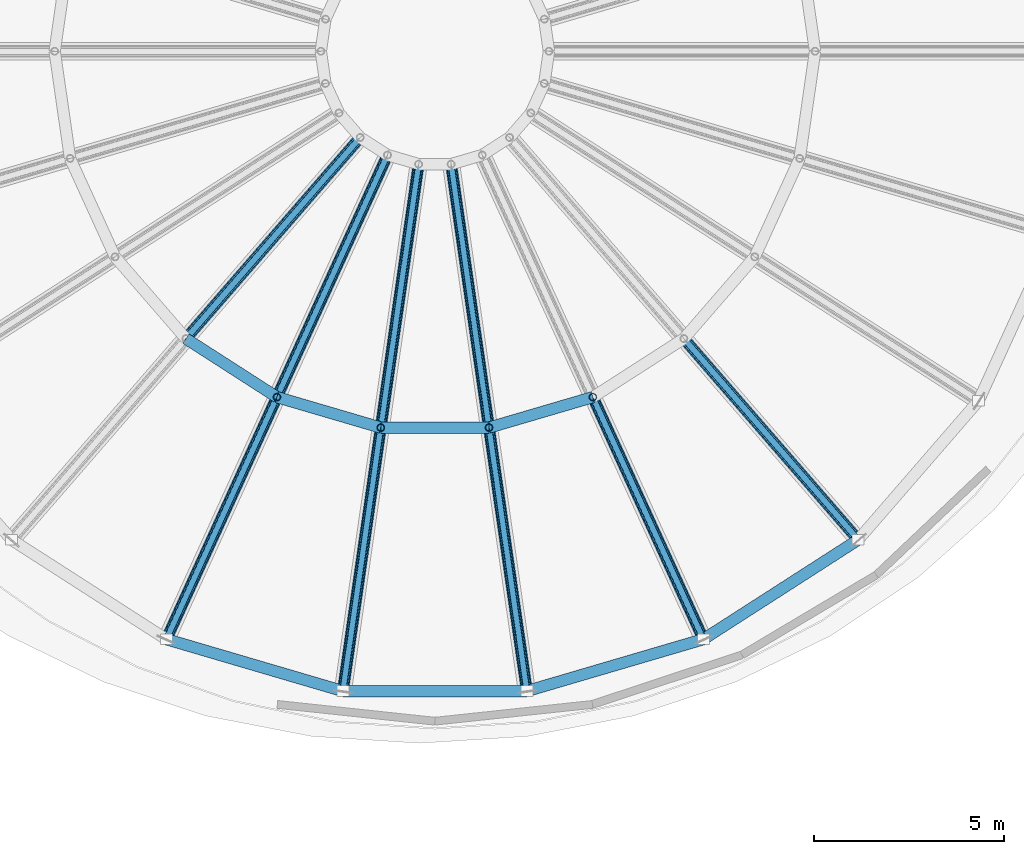
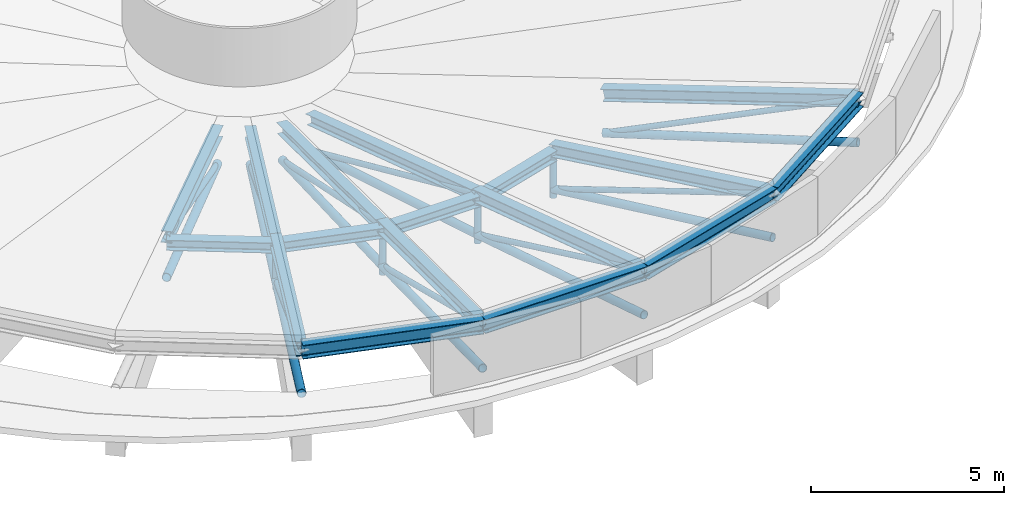
# One storey, part 3 of 69: 31 members, 8 beams.
"""IFC4 building model written with IfcOpenShell, lengths in metres."""

from ifc_helpers import new_model, si_unit, direction, frame, origin, origin_2d, place, context, subcontext, project, spatial, hollow_circle, i_section, extrude, material, material_profile, profile_set, type_object, element, save


model = new_model("IFC4")

# Units and contexts
model_context = context("Model", 3, precision=1e-05, world=origin(), true_north=direction((0.0, 1.0)))
body_context = subcontext(model_context, "Body", "Model", "MODEL_VIEW")
ifc_project = project(units=[si_unit("LENGTHUNIT", "METRE"), si_unit("AREAUNIT", "SQUARE_METRE"), si_unit("VOLUMEUNIT", "CUBIC_METRE"), si_unit("PLANEANGLEUNIT", "RADIAN"), si_unit("MASSUNIT", "GRAM", prefix="KILO")], contexts=[model_context])

# Site, building, storey
site_placement = place(None, origin())
site = spatial("IfcSite", under=ifc_project, at=site_placement, CompositionType="ELEMENT")
building_placement = place(site_placement, origin())
building = spatial("IfcBuilding", under=site, at=building_placement, Name="Pelvatis Terrace Science Centre", CompositionType="ELEMENT")
storey_placement = place(building_placement, frame((0.0, 0.0, 15.0)))
storey = spatial("IfcBuildingStorey", under=building, at=storey_placement, Name="L03", CompositionType="ELEMENT", Elevation=15.0)

# Beams
ifc_material_1 = material(Name="Structural steel S355", Category="steel")
ifc_material_profile_1 = material_profile(ifc_material_1, i_section(OverallWidth=0.300048828125, OverallDepth=0.330078125, WebThickness=0.009521484375, FlangeThickness=0.0166015625, FilletRadius=0.027099609375, at=origin_2d()), Name="HEA 340")
ifc_profile_set_1 = profile_set([ifc_material_profile_1], Name="Structural steel S355")
beam_type_1 = type_object("IfcBeamType", Name="BM-STL-HEA340", PredefinedType="BEAM", material=ifc_profile_set_1)
beam_1_placement = place(storey_placement, frame((71.451416015625, 47.04248046875, -0.179931640625), z_axis=(0.841236998523, -0.540666544477, 0.0), x_axis=(0.540666544477, 0.841236998523, 0.0)))
element("IfcBeam", 1, at=beam_1_placement, inside=storey, type_object=beam_type_1, Name="Bowl roof circumferential mid member 15", PredefinedType="BEAM", context=body_context, shape_type="SweptSolid", body=[
    extrude(i_section(OverallWidth=0.300048828125, OverallDepth=0.330078125, WebThickness=0.009521484375, FlangeThickness=0.0166015625, FilletRadius=0.027099609375, at=origin_2d()), origin(), (0.0, 0.0, 1.0), 2.84619140625),
])
beam_2_placement = place(storey_placement, frame((73.845703125, 45.503662109375, -0.179931640625), z_axis=(0.959511510072, -0.28166941978, 0.0), x_axis=(0.28166941978, 0.959511510072, 0.0)))
element("IfcBeam", 2, at=beam_2_placement, inside=storey, type_object=beam_type_1, Name="Bowl roof circumferential mid member 16", PredefinedType="BEAM", context=body_context, shape_type="SweptSolid", body=[
    extrude(i_section(OverallWidth=0.300048828125, OverallDepth=0.330078125, WebThickness=0.009521484375, FlangeThickness=0.0166015625, FilletRadius=0.027099609375, at=origin_2d()), origin(), (0.0, 0.0, 1.0), 2.846435546875),
])
beam_3_placement = place(storey_placement, frame((76.576904296875, 44.701904296875, -0.179931640625), z_axis=(1.0, 0.0, 0.0), x_axis=(0.0, 1.0, 0.0)))
element("IfcBeam", 3, at=beam_3_placement, inside=storey, type_object=beam_type_1, Name="Bowl roof circumferential mid member 17", PredefinedType="BEAM", context=body_context, shape_type="SweptSolid", body=[
    extrude(i_section(OverallWidth=0.300048828125, OverallDepth=0.330078125, WebThickness=0.009521484375, FlangeThickness=0.0166015625, FilletRadius=0.027099609375, at=origin_2d()), origin(), (0.0, 0.0, 1.0), 2.84619140625),
])
beam_4_placement = place(storey_placement, frame((79.423095703125, 44.701904296875, -0.179931640625), z_axis=(0.959511510072, 0.28166941978, 0.0), x_axis=(-0.28166941978, 0.959511510072, 0.0)))
element("IfcBeam", 4, at=beam_4_placement, inside=storey, type_object=beam_type_1, Name="Bowl roof circumferential mid member 18", PredefinedType="BEAM", context=body_context, shape_type="SweptSolid", body=[
    extrude(i_section(OverallWidth=0.300048828125, OverallDepth=0.330078125, WebThickness=0.009521484375, FlangeThickness=0.0166015625, FilletRadius=0.027099609375, at=origin_2d()), origin(), (0.0, 0.0, 1.0), 2.846435546875),
])
ifc_material_2 = material(Name="Structural steel S355", Category="steel")
ifc_material_profile_2 = material_profile(ifc_material_2, i_section(OverallWidth=0.300048828125, OverallDepth=0.43994140625, WebThickness=0.011474609375, FlangeThickness=0.02099609375, FilletRadius=0.027099609375, at=origin_2d()), Name="HEA 450")
ifc_profile_set_2 = profile_set([ifc_material_profile_2], Name="Structural steel S355")
beam_type_2 = type_object("IfcBeamType", Name="BM-STL-HEA450", PredefinedType="BEAM", material=ifc_profile_set_2)
beam_5_placement = place(storey_placement, frame((70.93798828125, 39.13623046875, 1.39990234375), z_axis=(0.959487536584, -0.281751073006, 0.0), x_axis=(0.281751073006, 0.959487536584, 0.0)))
element("IfcBeam", 5, at=beam_5_placement, inside=storey, type_object=beam_type_2, Name="Bowl roof circumferential out member 16", PredefinedType="BEAM", context=body_context, shape_type="SweptSolid", body=[
    extrude(i_section(OverallWidth=0.300048828125, OverallDepth=0.43994140625, WebThickness=0.011474609375, FlangeThickness=0.02099609375, FilletRadius=0.027099609375, at=origin_2d()), origin(), (0.0, 0.0, 1.0), 4.838623046875),
])
beam_6_placement = place(storey_placement, frame((75.58056640625, 37.77294921875, 1.39990234375), z_axis=(1.0, 0.0, 0.0), x_axis=(0.0, 1.0, 0.0)))
element("IfcBeam", 6, at=beam_6_placement, inside=storey, type_object=beam_type_2, Name="Bowl roof circumferential out member 17", PredefinedType="BEAM", context=body_context, shape_type="SweptSolid", body=[
    extrude(i_section(OverallWidth=0.300048828125, OverallDepth=0.43994140625, WebThickness=0.011474609375, FlangeThickness=0.02099609375, FilletRadius=0.027099609375, at=origin_2d()), origin(), (0.0, 0.0, 1.0), 4.8388671875),
])
for number, where, z_axis, x_axis, name in (
    (7, (80.41943359375, 37.77294921875, 1.39990234375), (0.959487536584, 0.281751073006, 0.0), (-0.281751073006, 0.959487536584, 0.0), "Bowl roof circumferential out member 18"),
    (8, (85.06201171875, 39.13623046875, 1.39990234375), (0.841255517216, 0.540637729681, 0.0), (-0.540637729681, 0.841255517216, 0.0), "Bowl roof circumferential out member 19"),
):
    element("IfcBeam", number, at=place(storey_placement, frame(where, z_axis=z_axis, x_axis=x_axis)), inside=storey, type_object=beam_type_2, Name=name, PredefinedType="BEAM", context=body_context, shape_type="SweptSolid", body=[
        extrude(i_section(OverallWidth=0.300048828125, OverallDepth=0.43994140625, WebThickness=0.011474609375, FlangeThickness=0.02099609375, FilletRadius=0.027099609375, at=origin_2d()), origin(), (0.0, 0.0, 1.0), 4.838623046875),
    ])

# Members
ifc_material_3 = material(Name="Structural steel S355", Category="steel")
ifc_material_profile_3 = material_profile(ifc_material_3, hollow_circle(Radius=0.084228515625, WallThickness=0.00634765625, at=origin_2d()), Name="CHS 168.3x6.3")
ifc_profile_set_3 = profile_set([ifc_material_profile_3], Name="Structural steel S355")
member_type_1 = type_object("IfcMemberType", Name="MEM-BRC-CHS168", PredefinedType="BRACE", material=ifc_profile_set_3)
member_1_placement = place(storey_placement, frame((71.451416015625, 47.04248046875, -0.02001953125), z_axis=(0.617261430253, 0.712368871546, -0.333944482771), x_axis=(-0.755754672976, 0.654854849776, 0.0)))
element("IfcMember", 9, at=member_1_placement, inside=storey, type_object=member_type_1, Name="Bowl truss web brace 15.4", PredefinedType="BRACE", context=body_context, shape_type="SweptSolid", body=[
    extrude(hollow_circle(Radius=0.084228515625, WallThickness=0.00634765625, at=origin_2d()), origin(), (0.0, 0.0, 1.0), 7.42626953125),
])
member_2_placement = place(storey_placement, frame((70.93798828125, 39.13623046875, 1.39990234375), z_axis=(0.387561918933, 0.848698774784, -0.359869627328), x_axis=(-0.909642454288, 0.41539211037, 0.0)))
element("IfcMember", 10, at=member_2_placement, inside=storey, type_object=member_type_1, Name="Bowl truss web brace 16.3", PredefinedType="BRACE", context=body_context, shape_type="SweptSolid", body=[
    extrude(hollow_circle(Radius=0.084228515625, WallThickness=0.00634765625, at=origin_2d()), origin(), (0.0, 0.0, 1.0), 7.502685546875),
])
member_3_placement = place(storey_placement, frame((73.845703125, 45.503662109375, -0.02001953125), z_axis=(0.391600804381, 0.857399309862, -0.333938966664), x_axis=(-0.909616095646, 0.415449826745, 0.0)))
element("IfcMember", 11, at=member_3_placement, inside=storey, type_object=member_type_1, Name="Bowl truss web brace 16.4", PredefinedType="BRACE", context=body_context, shape_type="SweptSolid", body=[
    extrude(hollow_circle(Radius=0.084228515625, WallThickness=0.00634765625, at=origin_2d()), origin(), (0.0, 0.0, 1.0), 7.426513671875),
])
member_4_placement = place(storey_placement, frame((75.58056640625, 37.77294921875, 1.39990234375), z_axis=(0.13279448885, 0.923509038972, -0.359856469539), x_axis=(-0.989819337894, 0.142329471053, 0.0)))
element("IfcMember", 12, at=member_4_placement, inside=storey, type_object=member_type_1, Name="Bowl truss web brace 17.3", PredefinedType="BRACE", context=body_context, shape_type="SweptSolid", body=[
    extrude(hollow_circle(Radius=0.084228515625, WallThickness=0.00634765625, at=origin_2d()), origin(), (0.0, 0.0, 1.0), 7.5029296875),
])
member_5_placement = place(storey_placement, frame((76.576904296875, 44.701904296875, -0.02001953125), z_axis=(0.134131031199, 0.932999672899, -0.333946817382), x_axis=(-0.989823544484, 0.142300213583, 0.0)))
element("IfcMember", 13, at=member_5_placement, inside=storey, type_object=member_type_1, Name="Bowl truss web brace 17.4", PredefinedType="BRACE", context=body_context, shape_type="SweptSolid", body=[
    extrude(hollow_circle(Radius=0.084228515625, WallThickness=0.00634765625, at=origin_2d()), origin(), (0.0, 0.0, 1.0), 7.42626953125),
])
member_6_placement = place(storey_placement, frame((80.41943359375, 37.77294921875, 1.39990234375), z_axis=(-0.13279448885, 0.923509038972, -0.359856469539), x_axis=(-0.989819337894, -0.142329471053, 0.0)))
element("IfcMember", 14, at=member_6_placement, inside=storey, type_object=member_type_1, Name="Bowl truss web brace 18.3", PredefinedType="BRACE", context=body_context, shape_type="SweptSolid", body=[
    extrude(hollow_circle(Radius=0.084228515625, WallThickness=0.00634765625, at=origin_2d()), origin(), (0.0, 0.0, 1.0), 7.5029296875),
])
member_7_placement = place(storey_placement, frame((79.423095703125, 44.701904296875, -0.02001953125), z_axis=(-0.134131031199, 0.932999672899, -0.333946817382), x_axis=(-0.989823544484, -0.142300213583, 0.0)))
element("IfcMember", 15, at=member_7_placement, inside=storey, type_object=member_type_1, Name="Bowl truss web brace 18.4", PredefinedType="BRACE", context=body_context, shape_type="SweptSolid", body=[
    extrude(hollow_circle(Radius=0.084228515625, WallThickness=0.00634765625, at=origin_2d()), origin(), (0.0, 0.0, 1.0), 7.42626953125),
])
for number, where, z_axis, x_axis, name in (
    (16, (85.06201171875, 39.13623046875, 1.39990234375), (-0.387561918933, 0.848698774784, -0.359869627328), (-0.909642454288, -0.41539211037, 0.0), "Bowl truss web brace 19.3"),
    (17, (89.132568359375, 41.752197265625, 1.39990234375), (-0.610982099152, 0.705122023143, -0.359866373803), (-0.755754672976, -0.654854849776, 0.0), "Bowl truss web brace 20.3"),
):
    element("IfcMember", number, at=place(storey_placement, frame(where, z_axis=z_axis, x_axis=x_axis)), inside=storey, type_object=member_type_1, Name=name, PredefinedType="BRACE", context=body_context, shape_type="SweptSolid", body=[
        extrude(hollow_circle(Radius=0.084228515625, WallThickness=0.00634765625, at=origin_2d()), origin(), (0.0, 0.0, 1.0), 7.502685546875),
    ])
ifc_material_4 = material(Name="Structural steel S355", Category="steel")
ifc_material_profile_4 = material_profile(ifc_material_4, hollow_circle(Radius=0.122314453125, WallThickness=0.010009765625, at=origin_2d()), Name="CHS 244.5x10.0")
ifc_profile_set_4 = profile_set([ifc_material_profile_4], Name="Structural steel S355")
member_type_2 = type_object("IfcMemberType", Name="MEM-CHD-CHS244", PredefinedType="CHORD", material=ifc_profile_set_4)
member_8_placement = place(storey_placement, frame((71.451416015625, 47.04248046875, -1.300048828125), z_axis=(0.645440265089, 0.744889492129, -0.168957120948), x_axis=(-0.755754672976, 0.654854849776, 0.0)))
element("IfcMember", 18, at=member_8_placement, inside=storey, type_object=member_type_2, Name="Bowl truss inner bottom chord 15", PredefinedType="CHORD", context=body_context, shape_type="SweptSolid", body=[
    extrude(hollow_circle(Radius=0.122314453125, WallThickness=0.010009765625, at=origin_2d()), origin(), (0.0, 0.0, 1.0), 7.10205078125),
])
member_9_placement = place(storey_placement, frame((70.93798828125, 39.13623046875, 0.0), z_axis=(0.40840819237, 0.894348788011, -0.182600640166), x_axis=(-0.909642454288, 0.41539211037, 0.0)))
element("IfcMember", 19, at=member_9_placement, inside=storey, type_object=member_type_2, Name="Bowl truss outer bottom chord 16", PredefinedType="CHORD", context=body_context, shape_type="SweptSolid", body=[
    extrude(hollow_circle(Radius=0.122314453125, WallThickness=0.010009765625, at=origin_2d()), origin(), (0.0, 0.0, 1.0), 7.11962890625),
])
member_10_placement = place(storey_placement, frame((73.845703125, 45.503662109375, -1.300048828125), z_axis=(0.40947728906, 0.896539386836, -0.168954069487), x_axis=(-0.909616095646, 0.415449826745, 0.0)))
element("IfcMember", 20, at=member_10_placement, inside=storey, type_object=member_type_2, Name="Bowl truss inner bottom chord 16", PredefinedType="CHORD", context=body_context, shape_type="SweptSolid", body=[
    extrude(hollow_circle(Radius=0.122314453125, WallThickness=0.010009765625, at=origin_2d()), origin(), (0.0, 0.0, 1.0), 7.102294921875),
])
member_11_placement = place(storey_placement, frame((75.58056640625, 37.77294921875, 0.0), z_axis=(0.13993670546, 0.973179033976, -0.182593226311), x_axis=(-0.989819337894, 0.142329471053, 0.0)))
element("IfcMember", 21, at=member_11_placement, inside=storey, type_object=member_type_2, Name="Bowl truss outer bottom chord 17", PredefinedType="CHORD", context=body_context, shape_type="SweptSolid", body=[
    extrude(hollow_circle(Radius=0.122314453125, WallThickness=0.010009765625, at=origin_2d()), origin(), (0.0, 0.0, 1.0), 7.119873046875),
])
member_12_placement = place(storey_placement, frame((76.576904296875, 44.701904296875, -1.300048828125), z_axis=(0.140254389165, 0.975593030514, -0.168958412437), x_axis=(-0.989823544484, 0.142300213583, 0.0)))
element("IfcMember", 22, at=member_12_placement, inside=storey, type_object=member_type_2, Name="Bowl truss inner bottom chord 17", PredefinedType="CHORD", context=body_context, shape_type="SweptSolid", body=[
    extrude(hollow_circle(Radius=0.122314453125, WallThickness=0.010009765625, at=origin_2d()), origin(), (0.0, 0.0, 1.0), 7.10205078125),
])
member_13_placement = place(storey_placement, frame((80.41943359375, 37.77294921875, 0.0), z_axis=(-0.13993670546, 0.973179033976, -0.182593226311), x_axis=(-0.989819337894, -0.142329471053, 0.0)))
element("IfcMember", 23, at=member_13_placement, inside=storey, type_object=member_type_2, Name="Bowl truss outer bottom chord 18", PredefinedType="CHORD", context=body_context, shape_type="SweptSolid", body=[
    extrude(hollow_circle(Radius=0.122314453125, WallThickness=0.010009765625, at=origin_2d()), origin(), (0.0, 0.0, 1.0), 7.119873046875),
])
member_14_placement = place(storey_placement, frame((79.423095703125, 44.701904296875, -1.300048828125), z_axis=(-0.140254389165, 0.975593030514, -0.168958412437), x_axis=(-0.989823544484, -0.142300213583, 0.0)))
element("IfcMember", 24, at=member_14_placement, inside=storey, type_object=member_type_2, Name="Bowl truss inner bottom chord 18", PredefinedType="CHORD", context=body_context, shape_type="SweptSolid", body=[
    extrude(hollow_circle(Radius=0.122314453125, WallThickness=0.010009765625, at=origin_2d()), origin(), (0.0, 0.0, 1.0), 7.10205078125),
])
for number, where, z_axis, x_axis, name in (
    (25, (85.06201171875, 39.13623046875, 0.0), (-0.40840819237, 0.894348788011, -0.182600640166), (-0.909642454288, -0.41539211037, 0.0), "Bowl truss outer bottom chord 19"),
    (26, (89.132568359375, 41.752197265625, 0.0), (-0.643845107793, 0.743048553513, -0.182598806934), (-0.755754672976, -0.654854849776, 0.0), "Bowl truss outer bottom chord 20"),
):
    element("IfcMember", number, at=place(storey_placement, frame(where, z_axis=z_axis, x_axis=x_axis)), inside=storey, type_object=member_type_2, Name=name, PredefinedType="CHORD", context=body_context, shape_type="SweptSolid", body=[
        extrude(hollow_circle(Radius=0.122314453125, WallThickness=0.010009765625, at=origin_2d()), origin(), (0.0, 0.0, 1.0), 7.11962890625),
    ])
ifc_material_5 = material(Name="Structural steel S355", Category="steel")
ifc_material_profile_5 = material_profile(ifc_material_5, i_section(OverallWidth=0.300048828125, OverallDepth=0.330078125, WebThickness=0.009521484375, FlangeThickness=0.0166015625, FilletRadius=0.027099609375, at=origin_2d()), Name="HEA 340")
ifc_profile_set_5 = profile_set([ifc_material_profile_5], Name="Structural steel S355")
member_type_3 = type_object("IfcMemberType", Name="MEM-CHD-HEA340", PredefinedType="CHORD", material=ifc_profile_set_5)
member_15_placement = place(storey_placement, frame((71.451416015625, 47.04248046875, -0.02001953125), z_axis=(0.641605004593, 0.740463295938, -0.200142762671), x_axis=(-0.755754672976, 0.654854849776, 0.0)))
element("IfcMember", 27, at=member_15_placement, inside=storey, type_object=member_type_3, Name="Bowl truss inner top chord 15", PredefinedType="CHORD", context=body_context, shape_type="SweptSolid", body=[
    extrude(i_section(OverallWidth=0.300048828125, OverallDepth=0.330078125, WebThickness=0.009521484375, FlangeThickness=0.0166015625, FilletRadius=0.027099609375, at=origin_2d()), origin(), (0.0, 0.0, 1.0), 7.14453125),
])
member_16_placement = place(storey_placement, frame((73.845703125, 45.503662109375, -0.02001953125), z_axis=(0.407044227577, 0.891212264895, -0.200139190809), x_axis=(-0.909616095646, 0.415449826745, 0.0)))
element("IfcMember", 28, at=member_16_placement, inside=storey, type_object=member_type_3, Name="Bowl truss inner top chord 16", PredefinedType="CHORD", context=body_context, shape_type="SweptSolid", body=[
    extrude(i_section(OverallWidth=0.300048828125, OverallDepth=0.330078125, WebThickness=0.009521484375, FlangeThickness=0.0166015625, FilletRadius=0.027099609375, at=origin_2d()), origin(), (0.0, 0.0, 1.0), 7.144775390625),
])
for number, where, z_axis, x_axis, name in (
    (29, (76.576904296875, 44.701904296875, -0.02001953125), (0.139420973127, 0.969795886603, -0.200144274413), (-0.989823544484, 0.142300213583, 0.0), "Bowl truss inner top chord 17"),
    (30, (79.423095703125, 44.701904296875, -0.02001953125), (-0.139420973127, 0.969795886603, -0.200144274413), (-0.989823544484, -0.142300213583, 0.0), "Bowl truss inner top chord 18"),
):
    element("IfcMember", number, at=place(storey_placement, frame(where, z_axis=z_axis, x_axis=x_axis)), inside=storey, type_object=member_type_3, Name=name, PredefinedType="CHORD", context=body_context, shape_type="SweptSolid", body=[
        extrude(i_section(OverallWidth=0.300048828125, OverallDepth=0.330078125, WebThickness=0.009521484375, FlangeThickness=0.0166015625, FilletRadius=0.027099609375, at=origin_2d()), origin(), (0.0, 0.0, 1.0), 7.14453125),
    ])
ifc_material_6 = material(Name="Structural steel S355", Category="steel")
ifc_material_profile_6 = material_profile(ifc_material_6, i_section(OverallWidth=0.300048828125, OverallDepth=0.389892578125, WebThickness=0.010986328125, FlangeThickness=0.01904296875, FilletRadius=0.027099609375, at=origin_2d()), Name="HEA 400")
ifc_profile_set_6 = profile_set([ifc_material_profile_6], Name="Structural steel S355")
member_type_4 = type_object("IfcMemberType", Name="MEM-CHD-HEA400", PredefinedType="CHORD", material=ifc_profile_set_6)
member_17_placement = place(storey_placement, frame((70.93798828125, 39.13623046875, 1.39990234375), z_axis=(0.407100979011, 0.891486199293, -0.198799269011), x_axis=(-0.909642454288, 0.41539211037, 0.0)))
element("IfcMember", 31, at=member_17_placement, inside=storey, type_object=member_type_4, Name="Bowl truss outer top chord 16", PredefinedType="CHORD", context=body_context, shape_type="SweptSolid", body=[
    extrude(i_section(OverallWidth=0.300048828125, OverallDepth=0.389892578125, WebThickness=0.010986328125, FlangeThickness=0.01904296875, FilletRadius=0.027099609375, at=origin_2d()), origin(), (0.0, 0.0, 1.0), 7.142578125),
])
for number, where, z_axis, x_axis, name in (
    (32, (75.58056640625, 37.77294921875, 1.39990234375), (0.139488838959, 0.970064380908, -0.198791249053), (-0.989819337894, 0.142329471053, 0.0), "Bowl truss outer top chord 17"),
    (33, (80.41943359375, 37.77294921875, 1.39990234375), (-0.139488838959, 0.970064380908, -0.198791249053), (-0.989819337894, -0.142329471053, 0.0), "Bowl truss outer top chord 18"),
):
    element("IfcMember", number, at=place(storey_placement, frame(where, z_axis=z_axis, x_axis=x_axis)), inside=storey, type_object=member_type_4, Name=name, PredefinedType="CHORD", context=body_context, shape_type="SweptSolid", body=[
        extrude(i_section(OverallWidth=0.300048828125, OverallDepth=0.389892578125, WebThickness=0.010986328125, FlangeThickness=0.01904296875, FilletRadius=0.027099609375, at=origin_2d()), origin(), (0.0, 0.0, 1.0), 7.142822265625),
    ])
for number, where, z_axis, x_axis, name in (
    (34, (85.06201171875, 39.13623046875, 1.39990234375), (-0.407100979011, 0.891486199293, -0.198799269011), (-0.909642454288, -0.41539211037, 0.0), "Bowl truss outer top chord 19"),
    (35, (89.132568359375, 41.752197265625, 1.39990234375), (-0.641784360423, 0.740670286856, -0.198797285909), (-0.755754672976, -0.654854849776, 0.0), "Bowl truss outer top chord 20"),
):
    element("IfcMember", number, at=place(storey_placement, frame(where, z_axis=z_axis, x_axis=x_axis)), inside=storey, type_object=member_type_4, Name=name, PredefinedType="CHORD", context=body_context, shape_type="SweptSolid", body=[
        extrude(i_section(OverallWidth=0.300048828125, OverallDepth=0.389892578125, WebThickness=0.010986328125, FlangeThickness=0.01904296875, FilletRadius=0.027099609375, at=origin_2d()), origin(), (0.0, 0.0, 1.0), 7.142578125),
    ])
ifc_material_7 = material(Name="Structural steel S355", Category="steel")
ifc_material_profile_7 = material_profile(ifc_material_7, hollow_circle(Radius=0.096923828125, WallThickness=0.008056640625, at=origin_2d()), Name="CHS 193.7x8.0")
ifc_profile_set_7 = profile_set([ifc_material_profile_7], Name="Structural steel S355")
member_type_5 = type_object("IfcMemberType", Name="MEM-STR-CHS194", PredefinedType="STRUT", material=ifc_profile_set_7)
for number, where, z_axis, x_axis, name in (
    (36, (73.845703125, 45.503662109375, -1.550048828125), (0.0, 0.0, 1.0), (1.0, 0.0, 0.0), "Bowl truss mid vertical post 16"),
    (37, (76.576904296875, 44.701904296875, -1.550048828125), (0.0, 0.0, 1.0), (1.0, 0.0, 0.0), "Bowl truss mid vertical post 17"),
    (38, (79.423095703125, 44.701904296875, -1.550048828125), (0.0, 0.0, 1.0), (1.0, 0.0, 0.0), "Bowl truss mid vertical post 18"),
    (39, (82.154296875, 45.503662109375, -1.550048828125), (0.0, 0.0, 1.0), (1.0, 0.0, 0.0), "Bowl truss mid vertical post 19"),
):
    element("IfcMember", number, at=place(storey_placement, frame(where, z_axis=z_axis, x_axis=x_axis)), inside=storey, type_object=member_type_5, Name=name, PredefinedType="STRUT", context=body_context, shape_type="SweptSolid", body=[
        extrude(hollow_circle(Radius=0.096923828125, WallThickness=0.008056640625, at=origin_2d()), origin(), (0.0, 0.0, 1.0), 1.530029296875),
    ])

save(model, "model.ifc")
